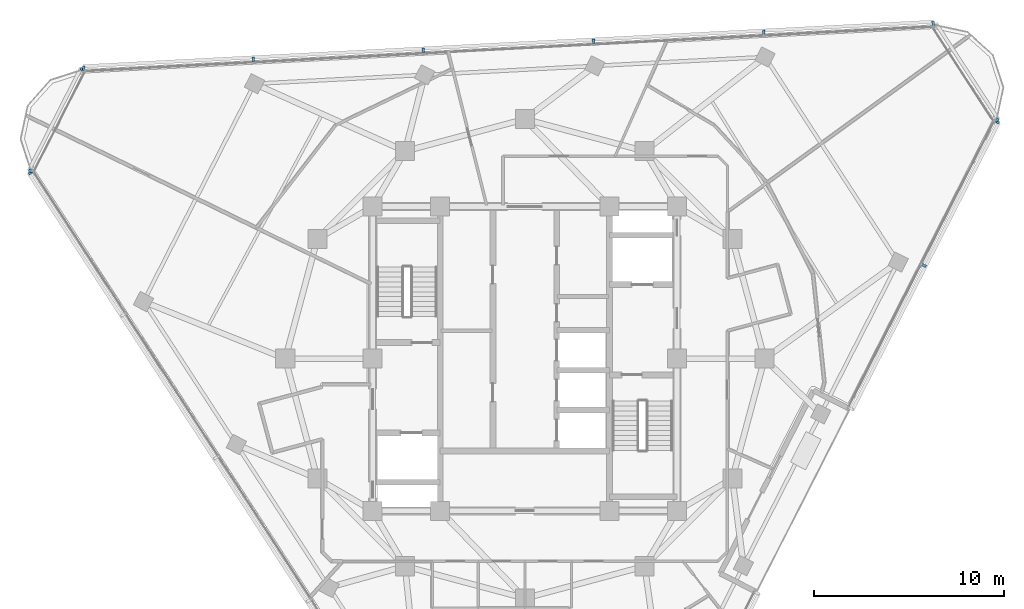
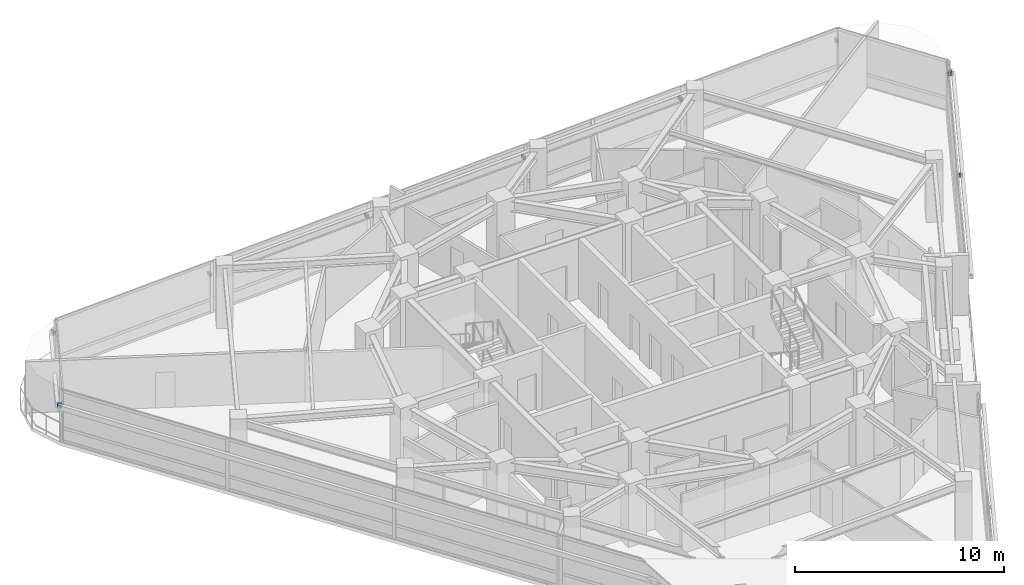
# One storey, part 11 of 15: 12 discrete accessories.
"""IFC4 building model written with IfcOpenShell, lengths in metres."""

from ifc_helpers import new_model, si_unit, direction, frame, origin, origin_2d, place, context, subcontext, project, spatial, rectangle, extrude, material, type_object, element, save


model = new_model("IFC4")

# Units and contexts
model_context = context("Model", 3, precision=1e-05, world=origin(), true_north=direction((0.0, 1.0)))
body_context = subcontext(model_context, "Body", "Model", "MODEL_VIEW")
ifc_project = project(units=[si_unit("LENGTHUNIT", "METRE"), si_unit("AREAUNIT", "SQUARE_METRE"), si_unit("VOLUMEUNIT", "CUBIC_METRE"), si_unit("PLANEANGLEUNIT", "RADIAN"), si_unit("MASSUNIT", "GRAM", prefix="KILO")], contexts=[model_context])

# Site, building, storey
site_placement = place(None, origin())
site = spatial("IfcSite", under=ifc_project, at=site_placement, CompositionType="ELEMENT")
building_placement = place(site_placement, origin())
building = spatial("IfcBuilding", under=site, at=building_placement, Name="Terralouvre Media Tower", CompositionType="ELEMENT")
storey_placement = place(building_placement, frame((0.0, 0.0, 252.199951171875)))
storey = spatial("IfcBuildingStorey", under=building, at=storey_placement, Name="L65", CompositionType="ELEMENT", Elevation=252.199951171875)

# Discrete accessories
ifc_material = material(Name="Anodised extruded aluminium 6063-T6", Category="aluminium")
discrete_accessory_type = type_object("IfcDiscreteAccessoryType", Name="Mullion Stand-Off Baguette Fixing Bracket BK-01", PredefinedType="BRACKET", material=ifc_material)
for number, where, z_axis, x_axis, name in (
    (1, (20.98779296875, 4.906494140625, 2.07421875), (0.0, 0.0, 1.0), (0.453991296619, 0.891006118157, 0.0), "CW-L65-F0R Baguette Outrigger Bracket 1.02"),
    (2, (24.82958984375, 12.44677734375, 2.07421875), (0.0, 0.0, 1.0), (0.453991296619, 0.891006118157, 0.0), "CW-L65-F0R Baguette Outrigger Bracket 1.03"),
    (3, (21.4697265625, 17.620361328125, 2.07421875), (0.0, 0.0, 1.0), (-0.998629523875, -0.052336163844, 0.0), "CW-L65-F1 Baguette Outrigger Bracket 1.01"),
    (4, (12.5595703125, 17.153564453125, 2.07421875), (0.0, 0.0, 1.0), (-0.998629523875, -0.052336163844, 0.0), "CW-L65-F1 Baguette Outrigger Bracket 1.02"),
    (5, (3.61181640625, 16.6845703125, 2.07421875), (0.0, 0.0, 1.0), (-0.998629523875, -0.052336163844, 0.0), "CW-L65-F1 Baguette Outrigger Bracket 1.03"),
    (6, (-5.3359375, 16.215576171875, 2.07421875), (0.0, 0.0, 1.0), (-0.998629523875, -0.052336163844, 0.0), "CW-L65-F1 Baguette Outrigger Bracket 1.04"),
    (7, (-14.28369140625, 15.74658203125, 2.07421875), (0.0, 0.0, 1.0), (-0.998629523875, -0.052336163844, 0.0), "CW-L65-F1 Baguette Outrigger Bracket 1.05"),
    (8, (-23.194091796875, 15.27978515625, 2.07421875), (0.0, 0.0, 1.0), (-0.998629523875, -0.052336163844, 0.0), "CW-L65-F1 Baguette Outrigger Bracket 1.06"),
    (9, (-25.99462890625, 9.783203125, 2.07421875), (0.0, 0.0, 1.0), (0.544639069077, -0.838670545826, 0.0), "CW-L65-F2 Baguette Outrigger Bracket 1.01"),
    (10, (24.807373046875, 12.54052734375, 2.07421875), (0.0, 0.0, 1.0), (-0.544639197097, 0.838670462688, 0.0), "CW-L65-C1 Baguette Outrigger Bracket 1.01"),
    (11, (-23.26416015625, 15.21337890625, 2.07421875), (0.0, 0.0, 1.0), (-0.453990349937, -0.891006600517, 0.0), "CW-L65-C2 Baguette Outrigger Bracket 1.01"),
    (12, (-25.982177734375, 9.87890625, 2.07421875), (0.0, 0.0, 1.0), (-0.453990349937, -0.891006600517, 0.0), "CW-L65-C2 Baguette Outrigger Bracket 1.02"),
):
    element("IfcDiscreteAccessory", number, at=place(storey_placement, frame(where, z_axis=z_axis, x_axis=x_axis)), inside=storey, type_object=discrete_accessory_type, Name=name, PredefinedType="BRACKET", context=body_context, shape_type="SweptSolid", body=[
        extrude(rectangle(XDim=0.139892578125, YDim=0.239990234375, at=origin_2d()), origin(), (0.0, 0.0, 1.0), 0.179931640625),
    ])

save(model, "model.ifc")
